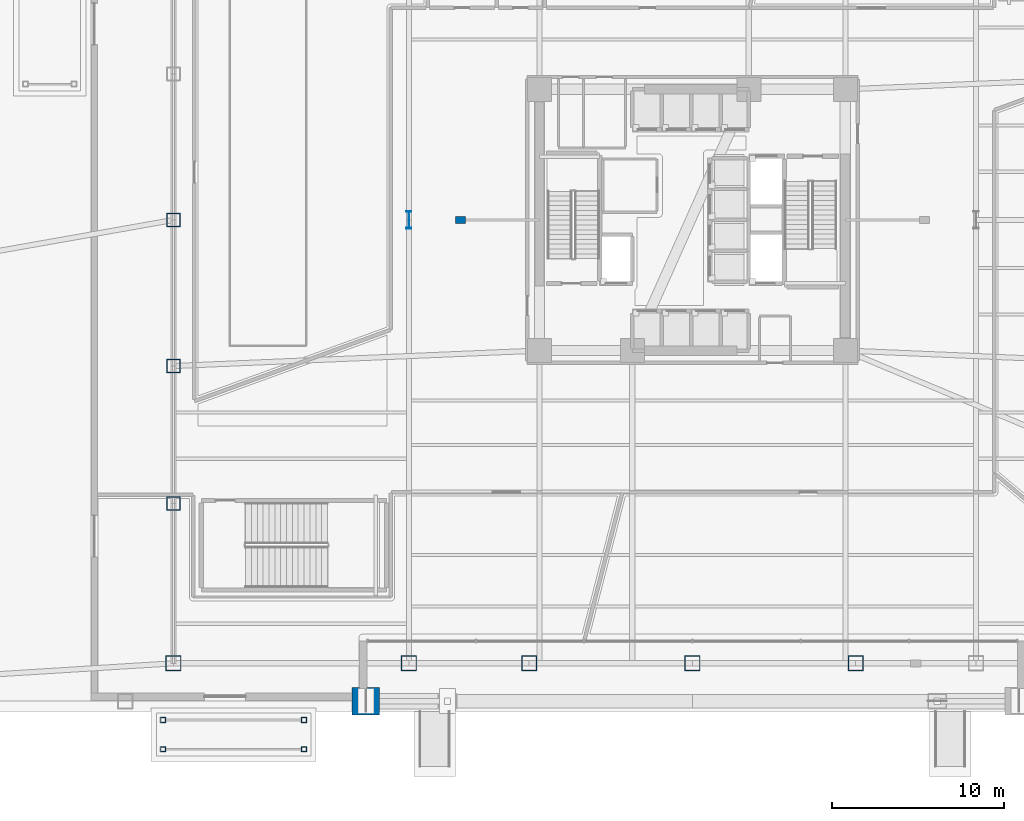
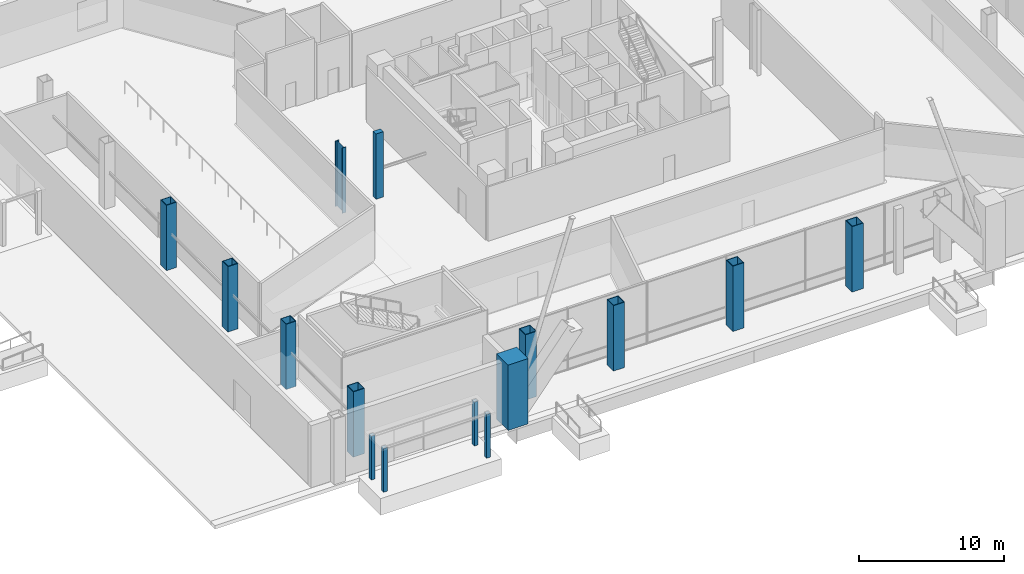
# One storey, part 2 of 27: 15 columns.
"""IFC4 building model written with IfcOpenShell, lengths in metres."""

from ifc_helpers import new_model, si_unit, direction, frame, origin, origin_2d, place, context, subcontext, project, spatial, rectangle, hollow_rectangle, i_section, extrude, material, material_profile, profile_set, type_object, element, save


model = new_model("IFC4")

# Units and contexts
model_context = context("Model", 3, precision=1e-05, world=origin(), true_north=direction((0.0, 1.0)))
body_context = subcontext(model_context, "Body", "Model", "MODEL_VIEW")
ifc_project = project(units=[si_unit("LENGTHUNIT", "METRE"), si_unit("AREAUNIT", "SQUARE_METRE"), si_unit("VOLUMEUNIT", "CUBIC_METRE"), si_unit("PLANEANGLEUNIT", "RADIAN"), si_unit("MASSUNIT", "GRAM", prefix="KILO")], contexts=[model_context])

# Site, building, storey
site_placement = place(None, origin())
site = spatial("IfcSite", under=ifc_project, at=site_placement, CompositionType="ELEMENT")
building_placement = place(site_placement, origin())
building = spatial("IfcBuilding", under=site, at=building_placement, Name="Tharavind Bronze Gate", CompositionType="ELEMENT")
storey_placement = place(building_placement, origin())
storey = spatial("IfcBuildingStorey", under=building, at=storey_placement, Name="L00", CompositionType="ELEMENT", Elevation=0.0)

# Columns
ifc_material_1 = material(Name="Concrete C70/85", Category="concrete")
ifc_material_profile_1 = material_profile(ifc_material_1, rectangle(XDim=1.60009765625, YDim=1.60009765625, at=origin_2d()), Name="RCCOL1600")
ifc_profile_set_1 = profile_set([ifc_material_profile_1], Name="Concrete C70/85")
column_type_1 = type_object("IfcColumnType", Name="MEGA CORE COLUMN 1600", PredefinedType="COLUMN", material=ifc_profile_set_1)
column_1_placement = place(storey_placement, frame((-19.0, -28.0, 0.0), z_axis=(0.0, 0.0, 1.0), x_axis=(1.0, 0.0, 0.0)))
element("IfcColumn", 1, at=column_1_placement, inside=storey, type_object=column_type_1, Name="L00 podium column ARCHW", PredefinedType="COLUMN", context=body_context, shape_type="SweptSolid", body=[
    extrude(rectangle(XDim=1.60009765625, YDim=1.60009765625, at=origin_2d()), origin(), (0.0, 0.0, 1.0), 5.5),
])
ifc_material_2 = material(Name="Steel S460", Category="steel")
ifc_material_profile_2 = material_profile(ifc_material_2, hollow_rectangle(XDim=0.300048828125, YDim=0.300048828125, WallThickness=0.02001953125, at=origin_2d()), Name="SHS300X20")
ifc_profile_set_2 = profile_set([ifc_material_profile_2], Name="Steel S460")
column_type_2 = type_object("IfcColumnType", Name="PERIMETER BOX COLUMN SHS300", PredefinedType="COLUMN", material=ifc_profile_set_2)
for number, where, z_axis, x_axis, name in (
    (2, (-30.800048828125, -30.800048828125, 0.0), (0.0, 0.0, 1.0), (1.0, 0.0, 0.0), "L00 canopy support post CN1A"),
    (3, (-22.60009765625, -30.800048828125, 0.0), (0.0, 0.0, 1.0), (1.0, 0.0, 0.0), "L00 canopy support post CN1B"),
    (4, (-22.60009765625, -29.10009765625, 0.0), (0.0, 0.0, 1.0), (1.0, 0.0, 0.0), "L00 canopy support post CN1C"),
    (5, (-30.800048828125, -29.10009765625, 0.0), (0.0, 0.0, 1.0), (1.0, 0.0, 0.0), "L00 canopy support post CN1D"),
):
    element("IfcColumn", number, at=place(storey_placement, frame(where, z_axis=z_axis, x_axis=x_axis)), inside=storey, type_object=column_type_2, Name=name, PredefinedType="COLUMN", context=body_context, shape_type="SweptSolid", body=[
        extrude(hollow_rectangle(XDim=0.300048828125, YDim=0.300048828125, WallThickness=0.02001953125, at=origin_2d()), origin(), (0.0, 0.0, 1.0), 3.699951171875),
    ])
ifc_material_profile_3 = material_profile(ifc_material_2, hollow_rectangle(XDim=0.800048828125, YDim=0.800048828125, WallThickness=0.044921875, at=origin_2d()), Name="SHS800X45")
ifc_profile_set_3 = profile_set([ifc_material_profile_3], Name="Steel S460")
column_type_3 = type_object("IfcColumnType", Name="PERIMETER BOX COLUMN SHS800", PredefinedType="COLUMN", material=ifc_profile_set_3)
for number, where, z_axis, x_axis, name in (
    (6, (-30.199951171875, -16.5, 0.0), (0.0, 0.0, 1.0), (1.0, 0.0, 0.0), "L00 podium column PW14"),
    (7, (-30.199951171875, -8.5, 0.0), (0.0, 0.0, 1.0), (1.0, 0.0, 0.0), "L00 podium column PW22"),
    (8, (-30.199951171875, 0.0, 0.0), (0.0, 0.0, 1.0), (1.0, 0.0, 0.0), "L00 podium column PW30"),
):
    element("IfcColumn", number, at=place(storey_placement, frame(where, z_axis=z_axis, x_axis=x_axis)), inside=storey, type_object=column_type_3, Name=name, PredefinedType="COLUMN", context=body_context, shape_type="SweptSolid", body=[
        extrude(hollow_rectangle(XDim=0.800048828125, YDim=0.800048828125, WallThickness=0.044921875, at=origin_2d()), origin(), (0.0, 0.0, 1.0), 5.5),
    ])
ifc_material_profile_4 = material_profile(ifc_material_2, hollow_rectangle(XDim=0.89990234375, YDim=0.89990234375, WallThickness=0.050048828125, at=origin_2d()), Name="SHS900X50")
ifc_profile_set_4 = profile_set([ifc_material_profile_4], Name="Steel S460")
column_type_4 = type_object("IfcColumnType", Name="PERIMETER BOX COLUMN SHS900", PredefinedType="COLUMN", material=ifc_profile_set_4)
for number, where, z_axis, x_axis, name in (
    (9, (-30.199951171875, -25.800048828125, 0.0), (0.0, 0.0, 1.0), (1.0, 0.0, 0.0), "L00 podium column PS10"),
    (10, (-16.5, -25.800048828125, 0.0), (0.0, 0.0, 1.0), (1.0, 0.0, 0.0), "L00 podium column PS24"),
    (11, (-9.5, -25.800048828125, 0.0), (0.0, 0.0, 1.0), (1.0, 0.0, 0.0), "L00 podium column PS30"),
    (12, (0.0, -25.800048828125, 0.0), (0.0, 0.0, 1.0), (1.0, 0.0, 0.0), "L00 podium column PS40"),
    (13, (9.5, -25.800048828125, 0.0), (0.0, 0.0, 1.0), (1.0, 0.0, 0.0), "L00 podium column PS50"),
):
    element("IfcColumn", number, at=place(storey_placement, frame(where, z_axis=z_axis, x_axis=x_axis)), inside=storey, type_object=column_type_4, Name=name, PredefinedType="COLUMN", context=body_context, shape_type="SweptSolid", body=[
        extrude(hollow_rectangle(XDim=0.89990234375, YDim=0.89990234375, WallThickness=0.050048828125, at=origin_2d()), origin(), (0.0, 0.0, 1.0), 5.5),
    ])
ifc_material_3 = material(Name="Concrete C60/75", Category="concrete")
ifc_material_profile_5 = material_profile(ifc_material_3, rectangle(XDim=0.60009765625, YDim=0.39990234375, at=origin_2d()), Name="RCPIL600X400")
ifc_profile_set_5 = profile_set([ifc_material_profile_5], Name="Concrete C60/75")
column_type_5 = type_object("IfcColumnType", Name="PILASTER COLUMN 600X400", PredefinedType="PILASTER", material=ifc_profile_set_5)
column_2_placement = place(storey_placement, frame((-13.5, 0.0, 0.0), z_axis=(0.0, 0.0, 1.0), x_axis=(1.0, 0.0, 0.0)))
element("IfcColumn", 14, at=column_2_placement, inside=storey, type_object=column_type_5, Name="L00 structural pilaster PILW", PredefinedType="PILASTER", context=body_context, shape_type="SweptSolid", body=[
    extrude(rectangle(XDim=0.60009765625, YDim=0.39990234375, at=origin_2d()), origin(), (0.0, 0.0, 1.0), 5.5),
])
ifc_material_profile_6 = material_profile(ifc_material_2, i_section(OverallWidth=0.302001953125, OverallDepth=1.008056640625, WebThickness=0.02099609375, FlangeThickness=0.0400390625, at=origin_2d()), Name="HE1000M")
ifc_profile_set_6 = profile_set([ifc_material_profile_6], Name="Steel S460")
column_type_6 = type_object("IfcColumnType", Name="PODIUM HALL COLUMN HE1000M", PredefinedType="COLUMN", material=ifc_profile_set_6)
column_3_placement = place(storey_placement, frame((-16.5, 0.0, 0.0), z_axis=(0.0, 0.0, 1.0), x_axis=(1.0, 0.0, 0.0)))
element("IfcColumn", 15, at=column_3_placement, inside=storey, type_object=column_type_6, Name="L00 podium column PMW0", PredefinedType="COLUMN", context=body_context, shape_type="SweptSolid", body=[
    extrude(i_section(OverallWidth=0.302001953125, OverallDepth=1.008056640625, WebThickness=0.02099609375, FlangeThickness=0.0400390625, at=origin_2d()), origin(), (0.0, 0.0, 1.0), 5.5),
])

save(model, "model.ifc")
